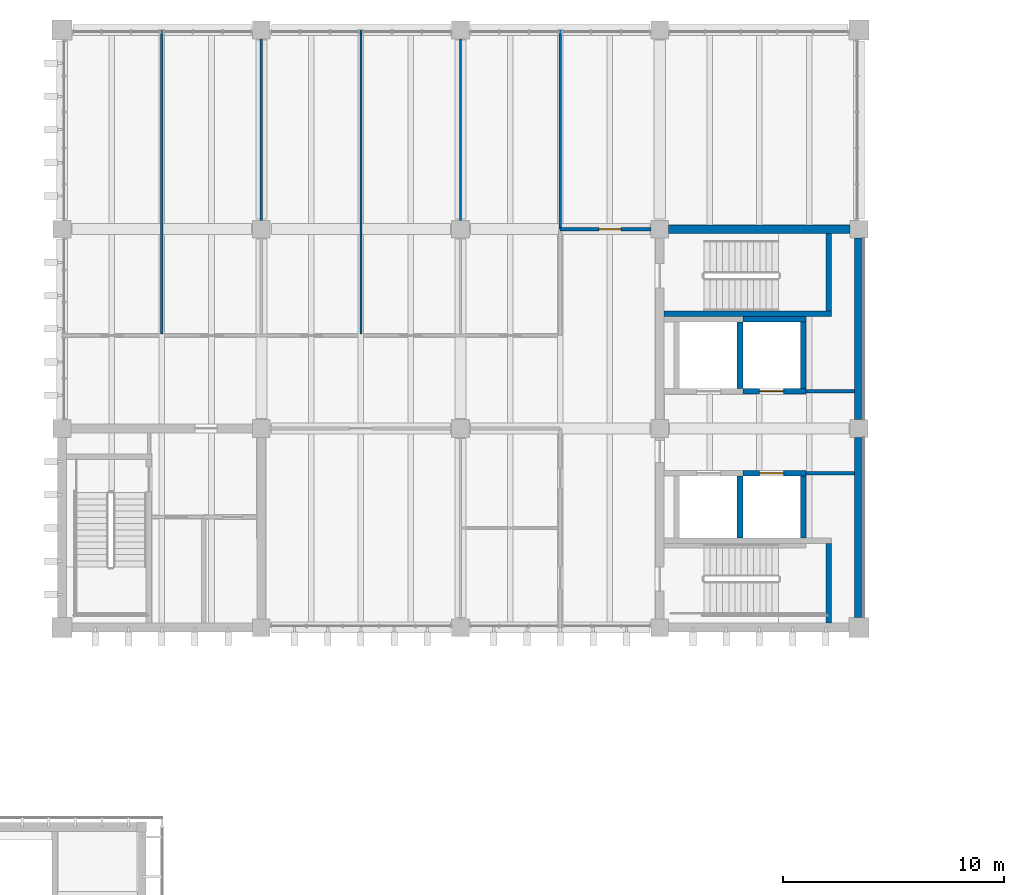
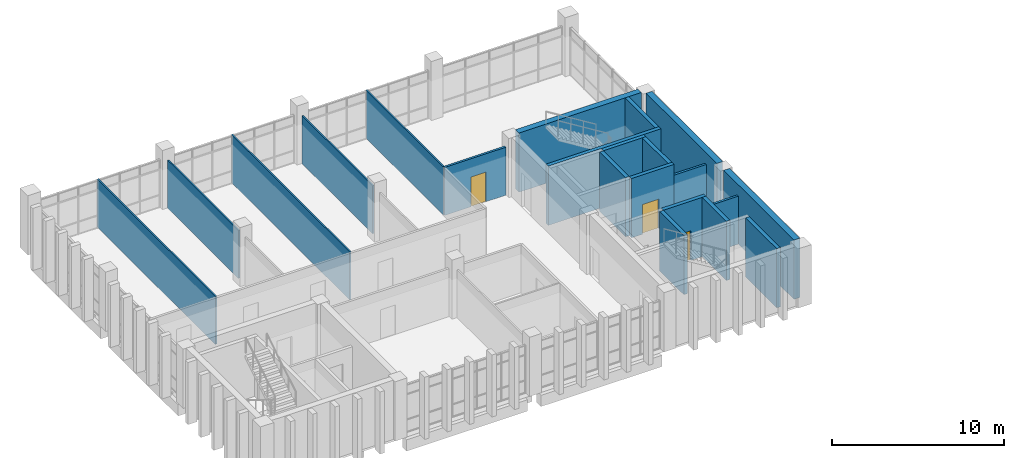
# One storey, part 35 of 50: 21 walls, 3 doors, 3 openings.
"""IFC4 building model written with IfcOpenShell, lengths in metres."""

import ifcopenshell
import ifcopenshell.guid

model = None  # the IFC model being written
_history = None  # IfcOwnerHistory: only IFC2X3 demands one
_inside = {}  # id of a spatial element -> (the spatial element, [elements in it])
_under = {}  # id of a project, library or spatial element -> (it, [spatial elements below it])
_declared = {}  # id of a project -> (the project, [libraries it declares])
_typed = {}  # id of a type object -> (the type object, [elements of that type])
_made_of = {}  # id of a material, layer set ... -> (it, [elements and type objects made of it])


def new_model(schema):
    """Start an empty IFC model of exactly this schema.

    Asked for "IFC4X3", IfcOpenShell would pick the latest addendum, in which some entities
    have other attributes; the version numbers below select the first issue.
    IFC2X3 requires an IfcOwnerHistory on every rooted entity: one is made here for all.
    """
    global model, _history
    if schema == "IFC4X3":
        model = ifcopenshell.file(schema_version=(4, 3, 0, 0))
    else:
        model = ifcopenshell.file(schema=schema)
    _inside.clear()
    _under.clear()
    _declared.clear()
    _typed.clear()
    _made_of.clear()
    _history = None
    if model.schema == "IFC2X3":
        org = make("IfcOrganization", Name="unknown")
        user = make(
            "IfcPersonAndOrganization",
            ThePerson=make("IfcPerson", FamilyName="unknown"),
            TheOrganization=org,
        )
        app = make(
            "IfcApplication",
            ApplicationDeveloper=org,
            Version="unknown",
            ApplicationFullName="unknown",
            ApplicationIdentifier="unknown",
        )
        _history = make(
            "IfcOwnerHistory",
            OwningUser=user,
            OwningApplication=app,
            ChangeAction="ADDED",
            CreationDate=0,
        )
    return model


def make(cls, **values):
    """One entity of the class cls with the attributes given. An attribute that is None is left unset."""
    return model.create_entity(
        cls, **{name: value for name, value in values.items() if value is not None}
    )


def rooted(cls, **values):
    """An entity with a GlobalId (a new one), such as an element, a storey or a relation."""
    return make(cls, GlobalId=ifcopenshell.guid.new(), OwnerHistory=_history, **values)


def si_unit(unit_type, name, prefix=None):
    """IfcSIUnit, for example si_unit("LENGTHUNIT", "METRE", prefix="MILLI")."""
    return make("IfcSIUnit", UnitType=unit_type, Prefix=prefix, Name=name)


def assignment(units):
    """IfcUnitAssignment: the units of a project."""
    return None if units is None else make("IfcUnitAssignment", Units=units)


def point(xyz):
    """IfcCartesianPoint."""
    return None if xyz is None else make("IfcCartesianPoint", Coordinates=xyz)


def direction(xyz):
    """IfcDirection."""
    return None if xyz is None else make("IfcDirection", DirectionRatios=xyz)


def frame(location, z_axis=None, x_axis=None):
    """IfcAxis2Placement3D, a coordinate frame: its origin and axes. An axis left out is left unset."""
    return make(
        "IfcAxis2Placement3D",
        Location=point(location),
        Axis=direction(z_axis),
        RefDirection=direction(x_axis),
    )


def frame_2d(location, x_axis=None):
    """IfcAxis2Placement2D, a coordinate frame in the plane: its origin and x axis."""
    return make(
        "IfcAxis2Placement2D", Location=point(location), RefDirection=direction(x_axis)
    )


def origin():
    """The frame at (0, 0, 0) with its axes left unset."""
    return frame((0.0, 0.0, 0.0))


def place(relative_to, where):
    """IfcLocalPlacement: puts the frame where relative to a parent placement (None: the world)."""
    return make(
        "IfcLocalPlacement", PlacementRelTo=relative_to, RelativePlacement=where
    )


def context(
    kind, dimensions, precision=None, world=None, true_north=None, identifier=None
):
    """IfcGeometricRepresentationContext, for example the 3D "Model" context."""
    return make(
        "IfcGeometricRepresentationContext",
        ContextIdentifier=identifier,
        ContextType=kind,
        CoordinateSpaceDimension=dimensions,
        Precision=precision,
        WorldCoordinateSystem=world,
        TrueNorth=true_north,
    )


def subcontext(parent, identifier, kind, view, scale=None):
    """IfcGeometricRepresentationSubContext, for example "Body" below "Model"."""
    return make(
        "IfcGeometricRepresentationSubContext",
        ContextIdentifier=identifier,
        ContextType=kind,
        ParentContext=parent,
        TargetScale=scale,
        TargetView=view,
    )


def project(units=None, contexts=None):
    """IfcProject with its units and contexts."""
    return rooted(
        "IfcProject",
        Name="project",
        RepresentationContexts=contexts,
        UnitsInContext=assignment(units),
    )


def spatial(cls, under=None, at=None, **own):
    """A site, building, storey or space (cls), placed at a placement, below another one or the project."""
    s = rooted(cls, ObjectPlacement=at, **own)
    if under is not None:
        _under.setdefault(under.id(), (under, []))[1].append(s)
    return s


def profile(cls, at=None, kind="AREA", **sizes):
    """A parametric profile (cls). Its sizes go by their IFC names, for example OverallWidth=200.0."""
    return make(cls, ProfileType=kind, Position=at, **sizes)


def rectangle(**sizes):
    """IfcRectangleProfileDef."""
    return profile("IfcRectangleProfileDef", **sizes)


def extrude(swept, where, along, depth):
    """IfcExtrudedAreaSolid: the profile swept, set in the frame where, extruded along a direction by depth."""
    return make(
        "IfcExtrudedAreaSolid",
        SweptArea=swept,
        Position=where,
        ExtrudedDirection=direction(along),
        Depth=depth,
    )


def shape(context_of_items, identifier, shape_type, items):
    """IfcShapeRepresentation: the items that make up one representation, for example the "Body"."""
    return make(
        "IfcShapeRepresentation",
        ContextOfItems=context_of_items,
        RepresentationIdentifier=identifier,
        RepresentationType=shape_type,
        Items=items,
    )


def material(Name=None, Category=None):
    """IfcMaterial."""
    return make("IfcMaterial", Name=Name, Category=Category)


def layer(
    of_material, thickness, ventilated=None, Name=None, Category=None, Priority=None
):
    """IfcMaterialLayer: one layer of a wall or slab, of a material (None: an air gap)."""
    return make(
        "IfcMaterialLayer",
        Material=of_material,
        LayerThickness=thickness,
        IsVentilated=ventilated,
        Name=Name,
        Category=Category,
        Priority=Priority,
    )


def layer_set(layers, Name=None):
    """IfcMaterialLayerSet."""
    return make("IfcMaterialLayerSet", MaterialLayers=layers, LayerSetName=Name)


def made_of(thing, what):
    """Note that an element or type object is made of a material, layer set ...; save() writes the relation."""
    if what is not None:
        _made_of.setdefault(what.id(), (what, []))[1].append(thing)
    return thing


def type_object(cls, material=None, **own):
    """A type object (cls), such as IfcWallType, which elements share."""
    return made_of(rooted(cls, **own), material)


def element(
    cls,
    number,
    at=None,
    inside=None,
    cuts=None,
    type_object=None,
    material=None,
    context=None,
    identifier="Body",
    shape_type=None,
    held_by="IfcProductDefinitionShape",
    body=None,
    shapes=None,
    **own,
):
    """One element of the class cls, such as IfcWall. Its Tag is "e" and its number.

    at: its placement. inside: the storey or other place that contains it. cuts: it is an
    opening in that element (IfcRelVoidsElement). A single representation is given by context,
    identifier, shape_type and body (its items); several are given by shapes. held_by: the class
    of the entity that holds the representations. save() writes the other relations.
    """
    e = rooted(cls, Tag="e%d" % number, ObjectPlacement=at, **own)
    if body is not None:
        shapes = [shape(context, identifier, shape_type, body)]
    if shapes is not None:
        e.Representation = make(held_by, Representations=shapes)
    if inside is not None:
        _inside.setdefault(inside.id(), (inside, []))[1].append(e)
    if cuts is not None:
        rooted(
            "IfcRelVoidsElement", RelatingBuildingElement=cuts, RelatedOpeningElement=e
        )
    if type_object is not None:
        _typed.setdefault(type_object.id(), (type_object, []))[1].append(e)
    return made_of(e, material)


def fill(opening, filler):
    """IfcRelFillsElement: the door or window that sits in an opening."""
    return rooted(
        "IfcRelFillsElement",
        RelatingOpeningElement=opening,
        RelatedBuildingElement=filler,
    )


def aggregate(whole, parts):
    """IfcRelAggregates: a whole, such as a stair, and the parts it consists of."""
    return rooted("IfcRelAggregates", RelatingObject=whole, RelatedObjects=parts)


def save(model, path):
    """Write the relations noted so far, then the file.

    IfcRelAggregates (storeys below a building ...), IfcRelContainedInSpatialStructure (elements
    in a storey), IfcRelDefinesByType, IfcRelAssociatesMaterial and IfcRelDeclares: one each for
    every whole, place, type object, material and project.
    """
    for whole, parts in _under.values():
        aggregate(whole, parts)
    for where, things in _inside.values():
        rooted(
            "IfcRelContainedInSpatialStructure",
            RelatedElements=things,
            RelatingStructure=where,
        )
    for kind, things in _typed.values():
        rooted("IfcRelDefinesByType", RelatedObjects=things, RelatingType=kind)
    for what, things in _made_of.values():
        rooted("IfcRelAssociatesMaterial", RelatedObjects=things, RelatingMaterial=what)
    for by, libraries in _declared.values():
        rooted("IfcRelDeclares", RelatingContext=by, RelatedDefinitions=libraries)
    model.write(path)


model = new_model("IFC4")

# Units and contexts
model_context = context("Model", 3, precision=1e-05, world=origin(), true_north=direction((0.0, 1.0)))
body_context = subcontext(model_context, "Body", "Model", "MODEL_VIEW")
ifc_project = project(units=[si_unit("LENGTHUNIT", "METRE"), si_unit("AREAUNIT", "SQUARE_METRE"), si_unit("VOLUMEUNIT", "CUBIC_METRE"), si_unit("PLANEANGLEUNIT", "RADIAN"), si_unit("MASSUNIT", "GRAM", prefix="KILO")], contexts=[model_context])

# Site, building, storey
site_placement = place(None, origin())
site = spatial("IfcSite", under=ifc_project, at=site_placement, CompositionType="ELEMENT")
building_placement = place(site_placement, origin())
building = spatial("IfcBuilding", under=site, at=building_placement, Name="Merrow Basin Faculty of Sciences", CompositionType="ELEMENT")
storey_placement = place(building_placement, frame((0.0, 0.0, 18.0)))
storey = spatial("IfcBuildingStorey", under=building, at=storey_placement, Name="L04", CompositionType="ELEMENT", Elevation=18.0)

# Walls
ifc_material_1 = material(Name="Fire-rated gypsum board")
ifc_layer_1 = layer(ifc_material_1, 0.14990234375)
ifc_layer_set_1 = layer_set([ifc_layer_1], Name="Corridor partition 150 fire-rated board on steel studs")
wall_type_1 = type_object("IfcWallType", Name="Corridor partition 150 fire-rated board on steel studs", PredefinedType="PARTITIONING", material=ifc_layer_set_1)
for number, where, z_axis, x_axis, name in (
    (1, (51.60009765625, 148.97509765625, 0.0), (0.0, 0.0, 1.0), (1.0, 0.0, 0.0), "IW151 L04 007"),
    (2, (51.60009765625, 152.675048828125, 0.0), (0.0, 0.0, 1.0), (1.0, 0.0, 0.0), "IW151 L04 010"),
):
    element("IfcWall", number, at=place(storey_placement, frame(where, z_axis=z_axis, x_axis=x_axis)), inside=storey, type_object=wall_type_1, Name=name, PredefinedType="PARTITIONING", context=body_context, shape_type="SweptSolid", body=[
        extrude(rectangle(XDim=2.199951171875, YDim=0.14990234375, at=frame_2d((1.10009765625, 0.0))), origin(), (0.0, 0.0, 1.0), 3.39990234375),
    ])

# Wall, opening, door
wall_1_placement = place(storey_placement, frame((40.5, 160.0, 0.0), z_axis=(0.0, 0.0, 1.0), x_axis=(1.0, 0.0, 0.0)))
wall_1 = element("IfcWall", 3, at=wall_1_placement, inside=storey, type_object=wall_type_1, Name="IW151 L04 012", PredefinedType="PARTITIONING", context=body_context, shape_type="SweptSolid", body=[
    extrude(rectangle(XDim=4.10009765625, YDim=0.14990234375, at=frame_2d((2.050048828125, 0.0))), origin(), (0.0, 0.0, 1.0), 3.39990234375),
])
opening_1_placement = place(wall_1_placement, frame((1.75, 0.0, 0.0)))
opening_1 = element("IfcOpeningElement", 4, at=opening_1_placement, cuts=wall_1, Name="Opening D04T016", PredefinedType="OPENING", context=body_context, shape_type="SweptSolid", body=[
    extrude(rectangle(XDim=1.0, YDim=2.10009765625, at=frame_2d((0.5, 1.050048828125))), frame((0.0, 0.0849609375, 0.0), z_axis=(0.0, -1.0, 0.0), x_axis=(1.0, 0.0, 0.0)), (0.0, 0.0, 1.0), 0.169921875),
])
ifc_material_2 = material(Name="Timber door leaf", Category="wood")
door_type_1 = type_object("IfcDoorType", Name="Single swing door 1000 x 2100", OperationType="NOTDEFINED", PredefinedType="DOOR", material=ifc_material_2)
door_1_placement = place(opening_1_placement, origin())
door_1 = element("IfcDoor", 5, at=door_1_placement, inside=storey, type_object=door_type_1, Name="Door D04T016", OperationType="SINGLE_SWING_LEFT", OverallHeight=2.10009765625, OverallWidth=1.0, PredefinedType="DOOR", context=body_context, shape_type="SweptSolid", body=[
    extrude(rectangle(XDim=1.0, YDim=2.10009765625, at=frame_2d((0.5, 1.050048828125))), frame((0.0, 0.02490234375, 0.0), z_axis=(0.0, -1.0, 0.0), x_axis=(1.0, 0.0, 0.0)), (0.0, 0.0, 1.0), 0.050048828125),
])
fill(opening_1, door_1)

# Walls
ifc_material_3 = material(Name="Gypsum board")
ifc_layer_2 = layer(ifc_material_3, 0.10009765625)
ifc_layer_set_2 = layer_set([ifc_layer_2], Name="Partition 100 gypsum board on steel studs")
wall_type_2 = type_object("IfcWallType", Name="Partition 100 gypsum board on steel studs", PredefinedType="PARTITIONING", material=ifc_layer_set_2)
wall_2_placement = place(storey_placement, frame((22.5, 155.27490234375, 0.0), z_axis=(0.0, 0.0, 1.0), x_axis=(0.0, 1.0, 0.0)))
element("IfcWall", 6, at=wall_2_placement, inside=storey, type_object=wall_type_2, Name="IW100 L04 015", PredefinedType="PARTITIONING", context=body_context, shape_type="SweptSolid", body=[
    extrude(rectangle(XDim=13.72509765625, YDim=0.10009765625, at=frame_2d((6.862548828125, 0.0))), origin(), (0.0, 0.0, 1.0), 3.39990234375),
])
wall_3_placement = place(storey_placement, frame((27.0, 160.39990234375, 0.0), z_axis=(0.0, 0.0, 1.0), x_axis=(0.0, 1.0, 0.0)))
element("IfcWall", 7, at=wall_3_placement, inside=storey, type_object=wall_type_2, Name="IW100 L04 016", PredefinedType="PARTITIONING", context=body_context, shape_type="SweptSolid", body=[
    extrude(rectangle(XDim=8.2001953125, YDim=0.10009765625, at=frame_2d((4.10009765625, 0.0))), origin(), (0.0, 0.0, 1.0), 3.39990234375),
])
wall_4_placement = place(storey_placement, frame((31.5, 155.27490234375, 0.0), z_axis=(0.0, 0.0, 1.0), x_axis=(0.0, 1.0, 0.0)))
element("IfcWall", 8, at=wall_4_placement, inside=storey, type_object=wall_type_2, Name="IW100 L04 018", PredefinedType="PARTITIONING", context=body_context, shape_type="SweptSolid", body=[
    extrude(rectangle(XDim=13.72509765625, YDim=0.10009765625, at=frame_2d((6.862548828125, 0.0))), origin(), (0.0, 0.0, 1.0), 3.39990234375),
])
wall_5_placement = place(storey_placement, frame((36.0, 160.39990234375, 0.0), z_axis=(0.0, 0.0, 1.0), x_axis=(0.0, 1.0, 0.0)))
element("IfcWall", 9, at=wall_5_placement, inside=storey, type_object=wall_type_2, Name="IW100 L04 019", PredefinedType="PARTITIONING", context=body_context, shape_type="SweptSolid", body=[
    extrude(rectangle(XDim=8.2001953125, YDim=0.10009765625, at=frame_2d((4.10009765625, 0.0))), origin(), (0.0, 0.0, 1.0), 3.39990234375),
])
wall_6_placement = place(storey_placement, frame((40.5, 160.0, 0.0), z_axis=(0.0, 0.0, 1.0), x_axis=(0.0, 1.0, 0.0)))
element("IfcWall", 10, at=wall_6_placement, inside=storey, type_object=wall_type_2, Name="IW100 L04 021", PredefinedType="PARTITIONING", context=body_context, shape_type="SweptSolid", body=[
    extrude(rectangle(XDim=9.0, YDim=0.10009765625, at=frame_2d((4.5, 0.0))), origin(), (0.0, 0.0, 1.0), 3.39990234375),
])
ifc_material_4 = material(Name="Concrete C40/50", Category="concrete")
ifc_layer_3 = layer(ifc_material_4, 0.25)
ifc_layer_set_3 = layer_set([ifc_layer_3], Name="Shear wall 250 Concrete C40/50")
wall_type_3 = type_object("IfcWallType", Name="Shear wall 250 Concrete C40/50", PredefinedType="SHEAR", material=ifc_layer_set_3)
wall_7_placement = place(storey_placement, frame((45.199951171875, 156.175048828125, 0.0), z_axis=(0.0, 0.0, 1.0), x_axis=(1.0, 0.0, 0.0)))
element("IfcWall", 11, at=wall_7_placement, inside=storey, type_object=wall_type_3, Name="SW2 L04 007", PredefinedType="SHEAR", context=body_context, shape_type="SweptSolid", body=[
    extrude(rectangle(XDim=7.550048828125, YDim=0.25, at=frame_2d((3.77490234375, 0.0))), origin(), (0.0, 0.0, 1.0), 4.199951171875),
])
wall_8_placement = place(storey_placement, frame((52.625, 156.300048828125, 0.0), z_axis=(0.0, 0.0, 1.0), x_axis=(0.0, 1.0, 0.0)))
element("IfcWall", 12, at=wall_8_placement, inside=storey, type_object=wall_type_3, Name="SW2 L04 008", PredefinedType="SHEAR", context=body_context, shape_type="SweptSolid", body=[
    extrude(rectangle(XDim=3.5, YDim=0.25, at=frame_2d((1.75, 0.0))), origin(), (0.0, 0.0, 1.0), 4.199951171875),
])
wall_9_placement = place(storey_placement, frame((52.625, 142.199951171875, 0.0), z_axis=(0.0, 0.0, 1.0), x_axis=(0.0, 1.0, 0.0)))
element("IfcWall", 13, at=wall_9_placement, inside=storey, type_object=wall_type_3, Name="SW2 L04 010", PredefinedType="SHEAR", context=body_context, shape_type="SweptSolid", body=[
    extrude(rectangle(XDim=3.60009765625, YDim=0.25, at=frame_2d((1.800048828125, 0.0))), origin(), (0.0, 0.0, 1.0), 4.199951171875),
])
wall_10_placement = place(storey_placement, frame((48.625, 152.800048828125, 0.0), z_axis=(0.0, 0.0, 1.0), x_axis=(0.0, 1.0, 0.0)))
element("IfcWall", 14, at=wall_10_placement, inside=storey, type_object=wall_type_3, Name="SW2 L04 014", PredefinedType="SHEAR", context=body_context, shape_type="SweptSolid", body=[
    extrude(rectangle(XDim=3.0, YDim=0.25, at=frame_2d((1.5, 0.0))), origin(), (0.0, 0.0, 1.0), 4.199951171875),
])

# Wall, opening, door
wall_11_placement = place(storey_placement, frame((48.75, 152.675048828125, 0.0), z_axis=(0.0, 0.0, 1.0), x_axis=(1.0, 0.0, 0.0)))
wall_11 = element("IfcWall", 15, at=wall_11_placement, inside=storey, type_object=wall_type_3, Name="SW2 L04 015", PredefinedType="SHEAR", context=body_context, shape_type="SweptSolid", body=[
    extrude(rectangle(XDim=2.85009765625, YDim=0.25, at=frame_2d((1.425048828125, 0.0))), origin(), (0.0, 0.0, 1.0), 4.199951171875),
])
opening_2_placement = place(wall_11_placement, frame((0.75, 0.0, 0.0)))
opening_2 = element("IfcOpeningElement", 16, at=opening_2_placement, cuts=wall_11, Name="Opening LD04T02", PredefinedType="OPENING", context=body_context, shape_type="SweptSolid", body=[
    extrude(rectangle(XDim=1.10009765625, YDim=2.10009765625, at=frame_2d((0.550048828125, 1.050048828125))), frame((0.0, 0.135009765625, 0.0), z_axis=(0.0, -1.0, 0.0), x_axis=(1.0, 0.0, 0.0)), (0.0, 0.0, 1.0), 0.27001953125),
])
ifc_material_5 = material(Name="Stainless steel sliding door", Category="steel")
door_type_2 = type_object("IfcDoorType", Name="Lift landing door 1100 x 2100 sliding", OperationType="NOTDEFINED", PredefinedType="DOOR", material=ifc_material_5)
door_2_placement = place(opening_2_placement, origin())
door_2 = element("IfcDoor", 17, at=door_2_placement, inside=storey, type_object=door_type_2, Name="Landing door LF12 L04", OperationType="SLIDING_TO_LEFT", OverallHeight=2.10009765625, OverallWidth=1.10009765625, PredefinedType="DOOR", context=body_context, shape_type="SweptSolid", body=[
    extrude(rectangle(XDim=1.10009765625, YDim=2.10009765625, at=frame_2d((0.550048828125, 1.050048828125))), frame((0.0, 0.02490234375, 0.0), z_axis=(0.0, -1.0, 0.0), x_axis=(1.0, 0.0, 0.0)), (0.0, 0.0, 1.0), 0.050048828125),
])
fill(opening_2, door_2)

# Walls
wall_12_placement = place(storey_placement, frame((48.75, 155.925048828125, 0.0), z_axis=(0.0, 0.0, 1.0), x_axis=(1.0, 0.0, 0.0)))
element("IfcWall", 18, at=wall_12_placement, inside=storey, type_object=wall_type_3, Name="SW2 L04 016", PredefinedType="SHEAR", context=body_context, shape_type="SweptSolid", body=[
    extrude(rectangle(XDim=2.85009765625, YDim=0.25, at=frame_2d((1.425048828125, 0.0))), origin(), (0.0, 0.0, 1.0), 4.199951171875),
])
wall_13_placement = place(storey_placement, frame((51.47509765625, 152.800048828125, 0.0), z_axis=(0.0, 0.0, 1.0), x_axis=(0.0, 1.0, 0.0)))
element("IfcWall", 19, at=wall_13_placement, inside=storey, type_object=wall_type_3, Name="SW2 L04 017", PredefinedType="SHEAR", context=body_context, shape_type="SweptSolid", body=[
    extrude(rectangle(XDim=3.0, YDim=0.25, at=frame_2d((1.5, 0.0))), origin(), (0.0, 0.0, 1.0), 4.199951171875),
])
wall_14_placement = place(storey_placement, frame((48.625, 146.050048828125, 0.0), z_axis=(0.0, 0.0, 1.0), x_axis=(0.0, 1.0, 0.0)))
element("IfcWall", 20, at=wall_14_placement, inside=storey, type_object=wall_type_3, Name="SW2 L04 021", PredefinedType="SHEAR", context=body_context, shape_type="SweptSolid", body=[
    extrude(rectangle(XDim=2.800048828125, YDim=0.25, at=frame_2d((1.39990234375, 0.0))), origin(), (0.0, 0.0, 1.0), 4.199951171875),
])

# Wall, opening, door
wall_15_placement = place(storey_placement, frame((48.75, 148.97509765625, 0.0), z_axis=(0.0, 0.0, 1.0), x_axis=(1.0, 0.0, 0.0)))
wall_15 = element("IfcWall", 21, at=wall_15_placement, inside=storey, type_object=wall_type_3, Name="SW2 L04 023", PredefinedType="SHEAR", context=body_context, shape_type="SweptSolid", body=[
    extrude(rectangle(XDim=2.85009765625, YDim=0.25, at=frame_2d((1.425048828125, 0.0))), origin(), (0.0, 0.0, 1.0), 4.199951171875),
])
opening_3_placement = place(wall_15_placement, frame((0.75, 0.0, 0.0)))
opening_3 = element("IfcOpeningElement", 22, at=opening_3_placement, cuts=wall_15, Name="Opening LD04T04", PredefinedType="OPENING", context=body_context, shape_type="SweptSolid", body=[
    extrude(rectangle(XDim=1.10009765625, YDim=2.10009765625, at=frame_2d((0.550048828125, 1.050048828125))), frame((0.0, 0.135009765625, 0.0), z_axis=(0.0, -1.0, 0.0), x_axis=(1.0, 0.0, 0.0)), (0.0, 0.0, 1.0), 0.27001953125),
])
door_3_placement = place(opening_3_placement, origin())
door_3 = element("IfcDoor", 23, at=door_3_placement, inside=storey, type_object=door_type_2, Name="Landing door LF14 L04", OperationType="SLIDING_TO_LEFT", OverallHeight=2.10009765625, OverallWidth=1.10009765625, PredefinedType="DOOR", context=body_context, shape_type="SweptSolid", body=[
    extrude(rectangle(XDim=1.10009765625, YDim=2.10009765625, at=frame_2d((0.550048828125, 1.050048828125))), frame((0.0, 0.02490234375, 0.0), z_axis=(0.0, -1.0, 0.0), x_axis=(1.0, 0.0, 0.0)), (0.0, 0.0, 1.0), 0.050048828125),
])
fill(opening_3, door_3)

# Walls
wall_16_placement = place(storey_placement, frame((51.47509765625, 146.050048828125, 0.0), z_axis=(0.0, 0.0, 1.0), x_axis=(0.0, 1.0, 0.0)))
element("IfcWall", 24, at=wall_16_placement, inside=storey, type_object=wall_type_3, Name="SW2 L04 024", PredefinedType="SHEAR", context=body_context, shape_type="SweptSolid", body=[
    extrude(rectangle(XDim=2.800048828125, YDim=0.25, at=frame_2d((1.39990234375, 0.0))), origin(), (0.0, 0.0, 1.0), 4.199951171875),
])
ifc_material_6 = material(Name="Concrete C40/50", Category="concrete")
ifc_layer_4 = layer(ifc_material_6, 0.39990234375)
ifc_layer_set_4 = layer_set([ifc_layer_4], Name="Shear wall 400 Concrete C40/50")
wall_type_4 = type_object("IfcWallType", Name="Shear wall 400 Concrete C40/50", PredefinedType="SHEAR", material=ifc_layer_set_4)
for number, where, z_axis, x_axis, name in (
    (25, (45.39990234375, 160.0, 0.0), (0.0, 0.0, 1.0), (1.0, 0.0, 0.0), "SW1 L04 002"),
    (26, (54.0, 151.39990234375, 0.0), (0.0, 0.0, 1.0), (0.0, 1.0, 0.0), "SW1 L04 005"),
):
    element("IfcWall", number, at=place(storey_placement, frame(where, z_axis=z_axis, x_axis=x_axis)), inside=storey, type_object=wall_type_4, Name=name, PredefinedType="SHEAR", context=body_context, shape_type="SweptSolid", body=[
        extrude(rectangle(XDim=8.2001953125, YDim=0.39990234375, at=frame_2d((4.10009765625, 0.0))), origin(), (0.0, 0.0, 1.0), 4.199951171875),
    ])
wall_17_placement = place(storey_placement, frame((54.0, 142.449951171875, 0.0), z_axis=(0.0, 0.0, 1.0), x_axis=(0.0, 1.0, 0.0)))
element("IfcWall", 27, at=wall_17_placement, inside=storey, type_object=wall_type_4, Name="SW1 L04 006", PredefinedType="SHEAR", context=body_context, shape_type="SweptSolid", body=[
    extrude(rectangle(XDim=8.150146484375, YDim=0.39990234375, at=frame_2d((4.0751953125, 0.0))), origin(), (0.0, 0.0, 1.0), 4.199951171875),
])

save(model, "model.ifc")
